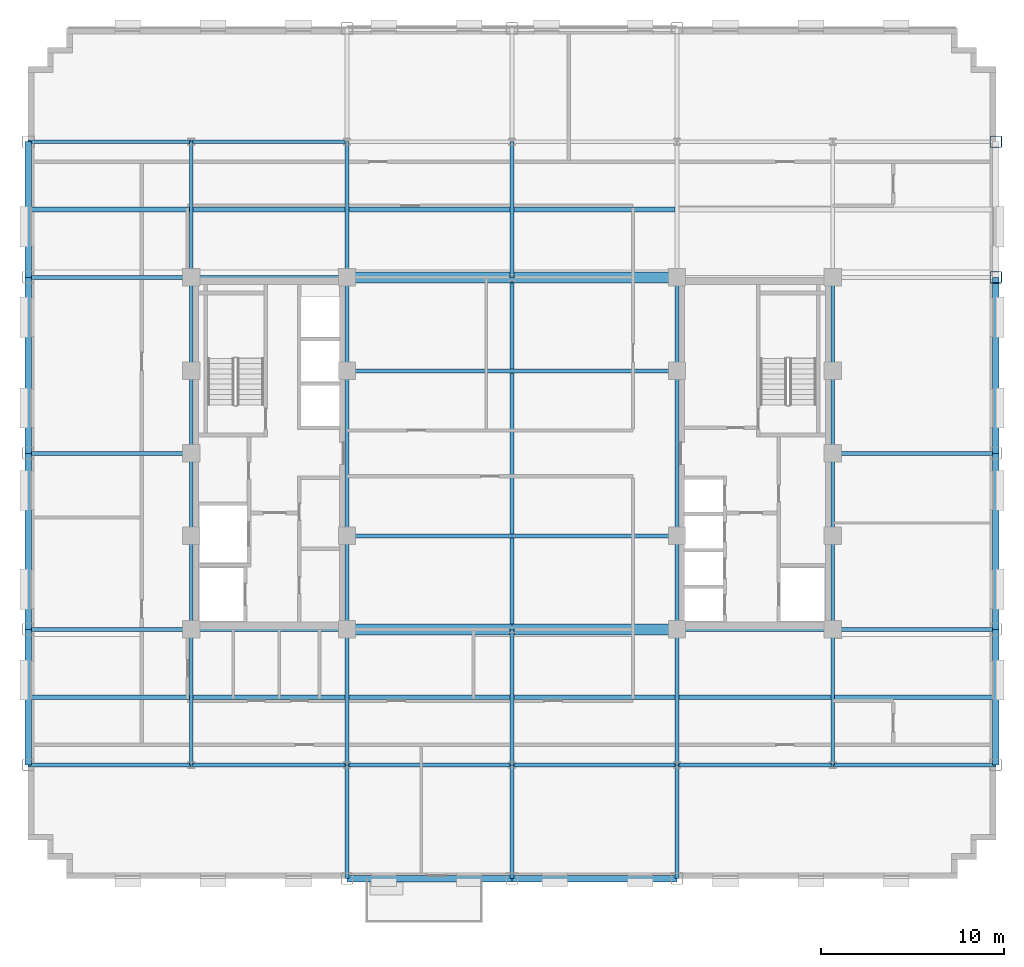
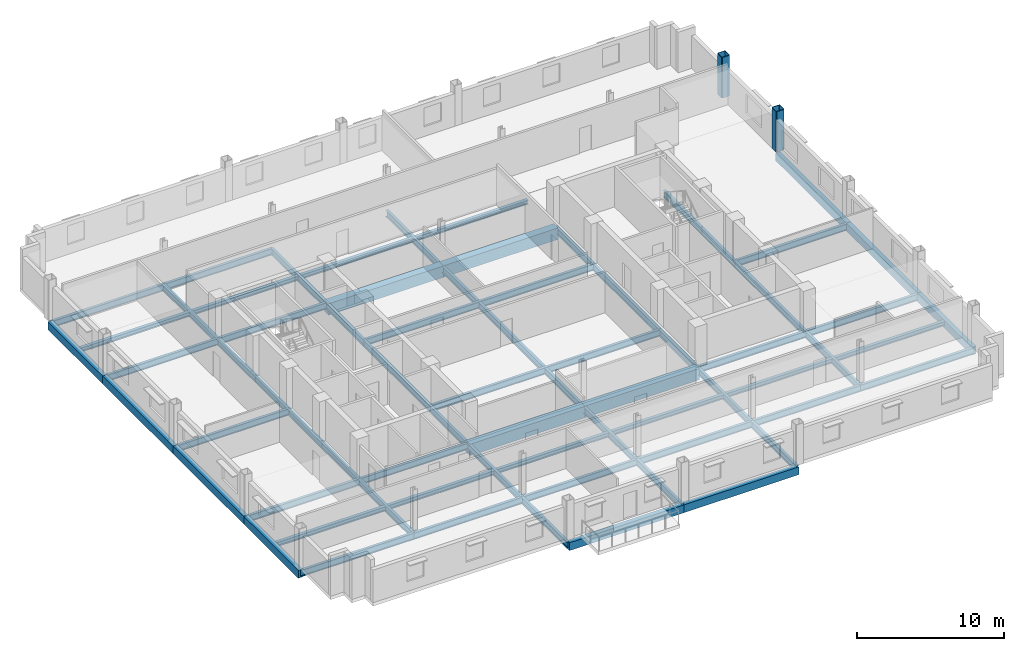
# One storey, part 4 of 14: 67 beams, 2 columns.
"""IFC4 building model written with IfcOpenShell, lengths in metres."""

from ifc_helpers import new_model, si_unit, direction, frame, origin, origin_2d, place, context, subcontext, project, spatial, rectangle, hollow_rectangle, i_section, extrude, material, material_profile, profile_set, type_object, element, save


model = new_model("IFC4")

# Units and contexts
model_context = context("Model", 3, precision=1e-05, world=origin(), true_north=direction((0.0, 1.0)))
body_context = subcontext(model_context, "Body", "Model", "MODEL_VIEW")
ifc_project = project(units=[si_unit("LENGTHUNIT", "METRE"), si_unit("AREAUNIT", "SQUARE_METRE"), si_unit("VOLUMEUNIT", "CUBIC_METRE"), si_unit("PLANEANGLEUNIT", "RADIAN"), si_unit("MASSUNIT", "GRAM", prefix="KILO")], contexts=[model_context])

# Site, building, storey
site_placement = place(None, origin())
site = spatial("IfcSite", under=ifc_project, at=site_placement, CompositionType="ELEMENT")
building_placement = place(site_placement, origin())
building = spatial("IfcBuilding", under=site, at=building_placement, Name="Nuvemarco Arch Tower", CompositionType="ELEMENT")
storey_placement = place(building_placement, frame((0.0, 0.0, 127.5)))
storey = spatial("IfcBuildingStorey", under=building, at=storey_placement, Name="L33", CompositionType="ELEMENT", Elevation=127.5)

# Columns
ifc_material_1 = material(Name="Steel S355", Category="steel")
ifc_material_profile_1 = material_profile(ifc_material_1, hollow_rectangle(XDim=0.64990234375, YDim=0.64990234375, WallThickness=0.0400390625, InnerFilletRadius=0.0400390625, OuterFilletRadius=0.080078125, at=origin_2d()), Name="SHS650x650x40")
ifc_profile_set_1 = profile_set([ifc_material_profile_1], Name="Steel S355")
column_type = type_object("IfcColumnType", Name="COL-EXO-650", PredefinedType="COLUMN", material=ifc_profile_set_1)
for number, where, z_axis, x_axis, name in (
    (1, (26.39990234375, 9.60009765625, 0.0), (0.0, 0.0, 1.0), (1.0, 0.0, 0.0), "L33 column CX_+26.4_+9.6"),
    (2, (26.39990234375, 17.0, 0.0), (0.0, 0.0, 1.0), (1.0, 0.0, 0.0), "L33 column CX_+26.4_+17.0"),
):
    element("IfcColumn", number, at=place(storey_placement, frame(where, z_axis=z_axis, x_axis=x_axis)), inside=storey, type_object=column_type, Name=name, PredefinedType="COLUMN", context=body_context, shape_type="SweptSolid", body=[
        extrude(hollow_rectangle(XDim=0.64990234375, YDim=0.64990234375, WallThickness=0.0400390625, InnerFilletRadius=0.0400390625, OuterFilletRadius=0.080078125, at=origin_2d()), origin(), (0.0, 0.0, 1.0), 3.3701171875),
    ])

# Beams
ifc_material_2 = material(Name="Concrete C60/75", Category="concrete")
ifc_material_profile_2 = material_profile(ifc_material_2, rectangle(XDim=0.60009765625, YDim=0.949951171875, at=origin_2d()), Name="RC-BM-600x950")
ifc_profile_set_2 = profile_set([ifc_material_profile_2], Name="Concrete C60/75")
beam_type_1 = type_object("IfcBeamType", Name="BM-COUP-RC", PredefinedType="LINTEL", material=ifc_profile_set_2)
for number, where, z_axis, x_axis, name in (
    (3, (-9.0, -9.60009765625, -0.7548828125), (1.0, 0.0, 0.0), (0.0, 1.0, 0.0), "L33 structural beam BGEW_L33_0_-9.6_-9.0"),
    (4, (0.0, -9.60009765625, -0.7548828125), (1.0, 0.0, 0.0), (0.0, 1.0, 0.0), "L33 structural beam BGEW_L33_0_-9.6_+0.0"),
    (5, (-9.0, 9.60009765625, -0.7548828125), (1.0, 0.0, 0.0), (0.0, 1.0, 0.0), "L33 structural beam BGEW_L33_0_+9.6_-9.0"),
    (6, (0.0, 9.60009765625, -0.7548828125), (1.0, 0.0, 0.0), (0.0, 1.0, 0.0), "L33 structural beam BGEW_L33_0_+9.6_+0.0"),
):
    element("IfcBeam", number, at=place(storey_placement, frame(where, z_axis=z_axis, x_axis=x_axis)), inside=storey, type_object=beam_type_1, Name=name, PredefinedType="LINTEL", context=body_context, shape_type="SweptSolid", body=[
        extrude(rectangle(XDim=0.60009765625, YDim=0.949951171875, at=origin_2d()), origin(), (0.0, 0.0, 1.0), 9.0),
    ])
ifc_material_profile_3 = material_profile(ifc_material_1, i_section(OverallWidth=0.2109375, OverallDepth=0.5390625, WebThickness=0.01171875, FlangeThickness=0.018798828125, FilletRadius=0.01611328125, at=origin_2d()), Name="W530x109")
ifc_profile_set_3 = profile_set([ifc_material_profile_3], Name="Steel S355")
beam_type_2 = type_object("IfcBeamType", Name="BM-GIRD-530", PredefinedType="BEAM", material=ifc_profile_set_3)
beam_1_placement = place(storey_placement, frame((-17.5, -17.0, -0.549560546875), z_axis=(0.0, 1.0, 0.0), x_axis=(-1.0, 0.0, 0.0)))
element("IfcBeam", 7, at=beam_1_placement, inside=storey, type_object=beam_type_2, Name="L33 structural beam BGNS_L33_0_-17.5_-17.0", PredefinedType="BEAM", context=body_context, shape_type="SweptSolid", body=[
    extrude(i_section(OverallWidth=0.2109375, OverallDepth=0.5390625, WebThickness=0.01171875, FlangeThickness=0.018798828125, FilletRadius=0.01611328125, at=origin_2d()), origin(), (0.0, 0.0, 1.0), 7.39990234375),
])
beam_2_placement = place(storey_placement, frame((-17.5, -9.60009765625, -0.549560546875), z_axis=(0.0, 1.0, 0.0), x_axis=(-1.0, 0.0, 0.0)))
element("IfcBeam", 8, at=beam_2_placement, inside=storey, type_object=beam_type_2, Name="L33 structural beam BGNS_L33_0_-17.5_-9.6", PredefinedType="BEAM", context=body_context, shape_type="SweptSolid", body=[
    extrude(i_section(OverallWidth=0.2109375, OverallDepth=0.5390625, WebThickness=0.01171875, FlangeThickness=0.018798828125, FilletRadius=0.01611328125, at=origin_2d()), origin(), (0.0, 0.0, 1.0), 5.10009765625),
])
for number, where, z_axis, x_axis, name in (
    (9, (-17.5, -4.5, -0.549560546875), (0.0, 1.0, 0.0), (-1.0, 0.0, 0.0), "L33 structural beam BGNS_L33_0_-17.5_-4.5"),
    (10, (-17.5, 0.0, -0.549560546875), (0.0, 1.0, 0.0), (-1.0, 0.0, 0.0), "L33 structural beam BGNS_L33_0_-17.5_+0.0"),
):
    element("IfcBeam", number, at=place(storey_placement, frame(where, z_axis=z_axis, x_axis=x_axis)), inside=storey, type_object=beam_type_2, Name=name, PredefinedType="BEAM", context=body_context, shape_type="SweptSolid", body=[
        extrude(i_section(OverallWidth=0.2109375, OverallDepth=0.5390625, WebThickness=0.01171875, FlangeThickness=0.018798828125, FilletRadius=0.01611328125, at=origin_2d()), origin(), (0.0, 0.0, 1.0), 4.5),
    ])
beam_3_placement = place(storey_placement, frame((-17.5, 4.5, -0.549560546875), z_axis=(0.0, 1.0, 0.0), x_axis=(-1.0, 0.0, 0.0)))
element("IfcBeam", 11, at=beam_3_placement, inside=storey, type_object=beam_type_2, Name="L33 structural beam BGNS_L33_0_-17.5_+4.5", PredefinedType="BEAM", context=body_context, shape_type="SweptSolid", body=[
    extrude(i_section(OverallWidth=0.2109375, OverallDepth=0.5390625, WebThickness=0.01171875, FlangeThickness=0.018798828125, FilletRadius=0.01611328125, at=origin_2d()), origin(), (0.0, 0.0, 1.0), 5.10009765625),
])
beam_4_placement = place(storey_placement, frame((-17.5, 9.60009765625, -0.549560546875), z_axis=(0.0, 1.0, 0.0), x_axis=(-1.0, 0.0, 0.0)))
element("IfcBeam", 12, at=beam_4_placement, inside=storey, type_object=beam_type_2, Name="L33 structural beam BGNS_L33_0_-17.5_+9.6", PredefinedType="BEAM", context=body_context, shape_type="SweptSolid", body=[
    extrude(i_section(OverallWidth=0.2109375, OverallDepth=0.5390625, WebThickness=0.01171875, FlangeThickness=0.018798828125, FilletRadius=0.01611328125, at=origin_2d()), origin(), (0.0, 0.0, 1.0), 7.39990234375),
])
beam_5_placement = place(storey_placement, frame((-9.0, -23.199951171875, -0.549560546875), z_axis=(0.0, 1.0, 0.0), x_axis=(-1.0, 0.0, 0.0)))
element("IfcBeam", 13, at=beam_5_placement, inside=storey, type_object=beam_type_2, Name="L33 structural beam BGNS_L33_0_-9.0_-23.2", PredefinedType="BEAM", context=body_context, shape_type="SweptSolid", body=[
    extrude(i_section(OverallWidth=0.2109375, OverallDepth=0.5390625, WebThickness=0.01171875, FlangeThickness=0.018798828125, FilletRadius=0.01611328125, at=origin_2d()), origin(), (0.0, 0.0, 1.0), 6.199951171875),
])
beam_6_placement = place(storey_placement, frame((-9.0, -17.0, -0.549560546875), z_axis=(0.0, 1.0, 0.0), x_axis=(-1.0, 0.0, 0.0)))
element("IfcBeam", 14, at=beam_6_placement, inside=storey, type_object=beam_type_2, Name="L33 structural beam BGNS_L33_0_-9.0_-17.0", PredefinedType="BEAM", context=body_context, shape_type="SweptSolid", body=[
    extrude(i_section(OverallWidth=0.2109375, OverallDepth=0.5390625, WebThickness=0.01171875, FlangeThickness=0.018798828125, FilletRadius=0.01611328125, at=origin_2d()), origin(), (0.0, 0.0, 1.0), 7.39990234375),
])
beam_7_placement = place(storey_placement, frame((-9.0, -9.60009765625, -0.549560546875), z_axis=(0.0, 1.0, 0.0), x_axis=(-1.0, 0.0, 0.0)))
element("IfcBeam", 15, at=beam_7_placement, inside=storey, type_object=beam_type_2, Name="L33 structural beam BGNS_L33_0_-9.0_-9.6", PredefinedType="BEAM", context=body_context, shape_type="SweptSolid", body=[
    extrude(i_section(OverallWidth=0.2109375, OverallDepth=0.5390625, WebThickness=0.01171875, FlangeThickness=0.018798828125, FilletRadius=0.01611328125, at=origin_2d()), origin(), (0.0, 0.0, 1.0), 5.10009765625),
])
beam_8_placement = place(storey_placement, frame((-9.0, -4.5, -0.549560546875), z_axis=(0.0, 1.0, 0.0), x_axis=(-1.0, 0.0, 0.0)))
element("IfcBeam", 16, at=beam_8_placement, inside=storey, type_object=beam_type_2, Name="L33 structural beam BGNS_L33_0_-9.0_-4.5", PredefinedType="BEAM", context=body_context, shape_type="SweptSolid", body=[
    extrude(i_section(OverallWidth=0.2109375, OverallDepth=0.5390625, WebThickness=0.01171875, FlangeThickness=0.018798828125, FilletRadius=0.01611328125, at=origin_2d()), origin(), (0.0, 0.0, 1.0), 9.0),
])
beam_9_placement = place(storey_placement, frame((-9.0, 4.5, -0.549560546875), z_axis=(0.0, 1.0, 0.0), x_axis=(-1.0, 0.0, 0.0)))
element("IfcBeam", 17, at=beam_9_placement, inside=storey, type_object=beam_type_2, Name="L33 structural beam BGNS_L33_0_-9.0_+4.5", PredefinedType="BEAM", context=body_context, shape_type="SweptSolid", body=[
    extrude(i_section(OverallWidth=0.2109375, OverallDepth=0.5390625, WebThickness=0.01171875, FlangeThickness=0.018798828125, FilletRadius=0.01611328125, at=origin_2d()), origin(), (0.0, 0.0, 1.0), 5.10009765625),
])
beam_10_placement = place(storey_placement, frame((-9.0, 9.60009765625, -0.549560546875), z_axis=(0.0, 1.0, 0.0), x_axis=(-1.0, 0.0, 0.0)))
element("IfcBeam", 18, at=beam_10_placement, inside=storey, type_object=beam_type_2, Name="L33 structural beam BGNS_L33_0_-9.0_+9.6", PredefinedType="BEAM", context=body_context, shape_type="SweptSolid", body=[
    extrude(i_section(OverallWidth=0.2109375, OverallDepth=0.5390625, WebThickness=0.01171875, FlangeThickness=0.018798828125, FilletRadius=0.01611328125, at=origin_2d()), origin(), (0.0, 0.0, 1.0), 7.39990234375),
])
beam_11_placement = place(storey_placement, frame((0.0, -23.199951171875, -0.549560546875), z_axis=(0.0, 1.0, 0.0), x_axis=(-1.0, 0.0, 0.0)))
element("IfcBeam", 19, at=beam_11_placement, inside=storey, type_object=beam_type_2, Name="L33 structural beam BGNS_L33_0_+0.0_-23.2", PredefinedType="BEAM", context=body_context, shape_type="SweptSolid", body=[
    extrude(i_section(OverallWidth=0.2109375, OverallDepth=0.5390625, WebThickness=0.01171875, FlangeThickness=0.018798828125, FilletRadius=0.01611328125, at=origin_2d()), origin(), (0.0, 0.0, 1.0), 6.199951171875),
])
beam_12_placement = place(storey_placement, frame((0.0, -17.0, -0.549560546875), z_axis=(0.0, 1.0, 0.0), x_axis=(-1.0, 0.0, 0.0)))
element("IfcBeam", 20, at=beam_12_placement, inside=storey, type_object=beam_type_2, Name="L33 structural beam BGNS_L33_0_+0.0_-17.0", PredefinedType="BEAM", context=body_context, shape_type="SweptSolid", body=[
    extrude(i_section(OverallWidth=0.2109375, OverallDepth=0.5390625, WebThickness=0.01171875, FlangeThickness=0.018798828125, FilletRadius=0.01611328125, at=origin_2d()), origin(), (0.0, 0.0, 1.0), 7.39990234375),
])
beam_13_placement = place(storey_placement, frame((0.0, -9.60009765625, -0.549560546875), z_axis=(0.0, 1.0, 0.0), x_axis=(-1.0, 0.0, 0.0)))
element("IfcBeam", 21, at=beam_13_placement, inside=storey, type_object=beam_type_2, Name="L33 structural beam BGNS_L33_0_+0.0_-9.6", PredefinedType="BEAM", context=body_context, shape_type="SweptSolid", body=[
    extrude(i_section(OverallWidth=0.2109375, OverallDepth=0.5390625, WebThickness=0.01171875, FlangeThickness=0.018798828125, FilletRadius=0.01611328125, at=origin_2d()), origin(), (0.0, 0.0, 1.0), 19.2001953125),
])
beam_14_placement = place(storey_placement, frame((0.0, 9.60009765625, -0.549560546875), z_axis=(0.0, 1.0, 0.0), x_axis=(-1.0, 0.0, 0.0)))
element("IfcBeam", 22, at=beam_14_placement, inside=storey, type_object=beam_type_2, Name="L33 structural beam BGNS_L33_0_+0.0_+9.6", PredefinedType="BEAM", context=body_context, shape_type="SweptSolid", body=[
    extrude(i_section(OverallWidth=0.2109375, OverallDepth=0.5390625, WebThickness=0.01171875, FlangeThickness=0.018798828125, FilletRadius=0.01611328125, at=origin_2d()), origin(), (0.0, 0.0, 1.0), 7.39990234375),
])
beam_15_placement = place(storey_placement, frame((9.0, -23.199951171875, -0.549560546875), z_axis=(0.0, 1.0, 0.0), x_axis=(-1.0, 0.0, 0.0)))
element("IfcBeam", 23, at=beam_15_placement, inside=storey, type_object=beam_type_2, Name="L33 structural beam BGNS_L33_0_+9.0_-23.2", PredefinedType="BEAM", context=body_context, shape_type="SweptSolid", body=[
    extrude(i_section(OverallWidth=0.2109375, OverallDepth=0.5390625, WebThickness=0.01171875, FlangeThickness=0.018798828125, FilletRadius=0.01611328125, at=origin_2d()), origin(), (0.0, 0.0, 1.0), 6.199951171875),
])
beam_16_placement = place(storey_placement, frame((9.0, -17.0, -0.549560546875), z_axis=(0.0, 1.0, 0.0), x_axis=(-1.0, 0.0, 0.0)))
element("IfcBeam", 24, at=beam_16_placement, inside=storey, type_object=beam_type_2, Name="L33 structural beam BGNS_L33_0_+9.0_-17.0", PredefinedType="BEAM", context=body_context, shape_type="SweptSolid", body=[
    extrude(i_section(OverallWidth=0.2109375, OverallDepth=0.5390625, WebThickness=0.01171875, FlangeThickness=0.018798828125, FilletRadius=0.01611328125, at=origin_2d()), origin(), (0.0, 0.0, 1.0), 7.39990234375),
])
beam_17_placement = place(storey_placement, frame((9.0, -9.60009765625, -0.549560546875), z_axis=(0.0, 1.0, 0.0), x_axis=(-1.0, 0.0, 0.0)))
element("IfcBeam", 25, at=beam_17_placement, inside=storey, type_object=beam_type_2, Name="L33 structural beam BGNS_L33_0_+9.0_-9.6", PredefinedType="BEAM", context=body_context, shape_type="SweptSolid", body=[
    extrude(i_section(OverallWidth=0.2109375, OverallDepth=0.5390625, WebThickness=0.01171875, FlangeThickness=0.018798828125, FilletRadius=0.01611328125, at=origin_2d()), origin(), (0.0, 0.0, 1.0), 5.10009765625),
])
beam_18_placement = place(storey_placement, frame((9.0, -4.5, -0.549560546875), z_axis=(0.0, 1.0, 0.0), x_axis=(-1.0, 0.0, 0.0)))
element("IfcBeam", 26, at=beam_18_placement, inside=storey, type_object=beam_type_2, Name="L33 structural beam BGNS_L33_0_+9.0_-4.5", PredefinedType="BEAM", context=body_context, shape_type="SweptSolid", body=[
    extrude(i_section(OverallWidth=0.2109375, OverallDepth=0.5390625, WebThickness=0.01171875, FlangeThickness=0.018798828125, FilletRadius=0.01611328125, at=origin_2d()), origin(), (0.0, 0.0, 1.0), 9.0),
])
beam_19_placement = place(storey_placement, frame((9.0, 4.5, -0.549560546875), z_axis=(0.0, 1.0, 0.0), x_axis=(-1.0, 0.0, 0.0)))
element("IfcBeam", 27, at=beam_19_placement, inside=storey, type_object=beam_type_2, Name="L33 structural beam BGNS_L33_0_+9.0_+4.5", PredefinedType="BEAM", context=body_context, shape_type="SweptSolid", body=[
    extrude(i_section(OverallWidth=0.2109375, OverallDepth=0.5390625, WebThickness=0.01171875, FlangeThickness=0.018798828125, FilletRadius=0.01611328125, at=origin_2d()), origin(), (0.0, 0.0, 1.0), 5.10009765625),
])
beam_20_placement = place(storey_placement, frame((17.5, -17.0, -0.549560546875), z_axis=(0.0, 1.0, 0.0), x_axis=(-1.0, 0.0, 0.0)))
element("IfcBeam", 28, at=beam_20_placement, inside=storey, type_object=beam_type_2, Name="L33 structural beam BGNS_L33_0_+17.5_-17.0", PredefinedType="BEAM", context=body_context, shape_type="SweptSolid", body=[
    extrude(i_section(OverallWidth=0.2109375, OverallDepth=0.5390625, WebThickness=0.01171875, FlangeThickness=0.018798828125, FilletRadius=0.01611328125, at=origin_2d()), origin(), (0.0, 0.0, 1.0), 7.39990234375),
])
beam_21_placement = place(storey_placement, frame((17.5, -9.60009765625, -0.549560546875), z_axis=(0.0, 1.0, 0.0), x_axis=(-1.0, 0.0, 0.0)))
element("IfcBeam", 29, at=beam_21_placement, inside=storey, type_object=beam_type_2, Name="L33 structural beam BGNS_L33_0_+17.5_-9.6", PredefinedType="BEAM", context=body_context, shape_type="SweptSolid", body=[
    extrude(i_section(OverallWidth=0.2109375, OverallDepth=0.5390625, WebThickness=0.01171875, FlangeThickness=0.018798828125, FilletRadius=0.01611328125, at=origin_2d()), origin(), (0.0, 0.0, 1.0), 5.10009765625),
])
for number, where, z_axis, x_axis, name in (
    (30, (17.5, -4.5, -0.549560546875), (0.0, 1.0, 0.0), (-1.0, 0.0, 0.0), "L33 structural beam BGNS_L33_0_+17.5_-4.5"),
    (31, (17.5, 0.0, -0.549560546875), (0.0, 1.0, 0.0), (-1.0, 0.0, 0.0), "L33 structural beam BGNS_L33_0_+17.5_+0.0"),
):
    element("IfcBeam", number, at=place(storey_placement, frame(where, z_axis=z_axis, x_axis=x_axis)), inside=storey, type_object=beam_type_2, Name=name, PredefinedType="BEAM", context=body_context, shape_type="SweptSolid", body=[
        extrude(i_section(OverallWidth=0.2109375, OverallDepth=0.5390625, WebThickness=0.01171875, FlangeThickness=0.018798828125, FilletRadius=0.01611328125, at=origin_2d()), origin(), (0.0, 0.0, 1.0), 4.5),
    ])
beam_22_placement = place(storey_placement, frame((17.5, 4.5, -0.549560546875), z_axis=(0.0, 1.0, 0.0), x_axis=(-1.0, 0.0, 0.0)))
element("IfcBeam", 32, at=beam_22_placement, inside=storey, type_object=beam_type_2, Name="L33 structural beam BGNS_L33_0_+17.5_+4.5", PredefinedType="BEAM", context=body_context, shape_type="SweptSolid", body=[
    extrude(i_section(OverallWidth=0.2109375, OverallDepth=0.5390625, WebThickness=0.01171875, FlangeThickness=0.018798828125, FilletRadius=0.01611328125, at=origin_2d()), origin(), (0.0, 0.0, 1.0), 5.10009765625),
])
beam_23_placement = place(storey_placement, frame((-26.39990234375, -17.0, -0.549560546875), z_axis=(1.0, 0.0, 0.0), x_axis=(0.0, 1.0, 0.0)))
element("IfcBeam", 33, at=beam_23_placement, inside=storey, type_object=beam_type_2, Name="L33 structural beam BGEW_L33_0_-17.0_-26.4", PredefinedType="BEAM", context=body_context, shape_type="SweptSolid", body=[
    extrude(i_section(OverallWidth=0.2109375, OverallDepth=0.5390625, WebThickness=0.01171875, FlangeThickness=0.018798828125, FilletRadius=0.01611328125, at=origin_2d()), origin(), (0.0, 0.0, 1.0), 8.89990234375),
])
beam_24_placement = place(storey_placement, frame((-17.5, -17.0, -0.549560546875), z_axis=(1.0, 0.0, 0.0), x_axis=(0.0, 1.0, 0.0)))
element("IfcBeam", 34, at=beam_24_placement, inside=storey, type_object=beam_type_2, Name="L33 structural beam BGEW_L33_0_-17.0_-17.5", PredefinedType="BEAM", context=body_context, shape_type="SweptSolid", body=[
    extrude(i_section(OverallWidth=0.2109375, OverallDepth=0.5390625, WebThickness=0.01171875, FlangeThickness=0.018798828125, FilletRadius=0.01611328125, at=origin_2d()), origin(), (0.0, 0.0, 1.0), 8.5),
])
for number, where, z_axis, x_axis, name in (
    (35, (-9.0, -17.0, -0.549560546875), (1.0, 0.0, 0.0), (0.0, 1.0, 0.0), "L33 structural beam BGEW_L33_0_-17.0_-9.0"),
    (36, (0.0, -17.0, -0.549560546875), (1.0, 0.0, 0.0), (0.0, 1.0, 0.0), "L33 structural beam BGEW_L33_0_-17.0_+0.0"),
):
    element("IfcBeam", number, at=place(storey_placement, frame(where, z_axis=z_axis, x_axis=x_axis)), inside=storey, type_object=beam_type_2, Name=name, PredefinedType="BEAM", context=body_context, shape_type="SweptSolid", body=[
        extrude(i_section(OverallWidth=0.2109375, OverallDepth=0.5390625, WebThickness=0.01171875, FlangeThickness=0.018798828125, FilletRadius=0.01611328125, at=origin_2d()), origin(), (0.0, 0.0, 1.0), 9.0),
    ])
beam_25_placement = place(storey_placement, frame((9.0, -17.0, -0.549560546875), z_axis=(1.0, 0.0, 0.0), x_axis=(0.0, 1.0, 0.0)))
element("IfcBeam", 37, at=beam_25_placement, inside=storey, type_object=beam_type_2, Name="L33 structural beam BGEW_L33_0_-17.0_+9.0", PredefinedType="BEAM", context=body_context, shape_type="SweptSolid", body=[
    extrude(i_section(OverallWidth=0.2109375, OverallDepth=0.5390625, WebThickness=0.01171875, FlangeThickness=0.018798828125, FilletRadius=0.01611328125, at=origin_2d()), origin(), (0.0, 0.0, 1.0), 8.5),
])
for number, where, z_axis, x_axis, name in (
    (38, (17.5, -17.0, -0.549560546875), (1.0, 0.0, 0.0), (0.0, 1.0, 0.0), "L33 structural beam BGEW_L33_0_-17.0_+17.5"),
    (39, (-26.39990234375, -9.60009765625, -0.549560546875), (1.0, 0.0, 0.0), (0.0, 1.0, 0.0), "L33 structural beam BGEW_L33_0_-9.6_-26.4"),
):
    element("IfcBeam", number, at=place(storey_placement, frame(where, z_axis=z_axis, x_axis=x_axis)), inside=storey, type_object=beam_type_2, Name=name, PredefinedType="BEAM", context=body_context, shape_type="SweptSolid", body=[
        extrude(i_section(OverallWidth=0.2109375, OverallDepth=0.5390625, WebThickness=0.01171875, FlangeThickness=0.018798828125, FilletRadius=0.01611328125, at=origin_2d()), origin(), (0.0, 0.0, 1.0), 8.89990234375),
    ])
for number, where, z_axis, x_axis, name in (
    (40, (-17.5, -9.60009765625, -0.549560546875), (1.0, 0.0, 0.0), (0.0, 1.0, 0.0), "L33 structural beam BGEW_L33_0_-9.6_-17.5"),
    (41, (9.0, -9.60009765625, -0.549560546875), (1.0, 0.0, 0.0), (0.0, 1.0, 0.0), "L33 structural beam BGEW_L33_0_-9.6_+9.0"),
):
    element("IfcBeam", number, at=place(storey_placement, frame(where, z_axis=z_axis, x_axis=x_axis)), inside=storey, type_object=beam_type_2, Name=name, PredefinedType="BEAM", context=body_context, shape_type="SweptSolid", body=[
        extrude(i_section(OverallWidth=0.2109375, OverallDepth=0.5390625, WebThickness=0.01171875, FlangeThickness=0.018798828125, FilletRadius=0.01611328125, at=origin_2d()), origin(), (0.0, 0.0, 1.0), 8.5),
    ])
beam_26_placement = place(storey_placement, frame((17.5, -9.60009765625, -0.549560546875), z_axis=(1.0, 0.0, 0.0), x_axis=(0.0, 1.0, 0.0)))
element("IfcBeam", 42, at=beam_26_placement, inside=storey, type_object=beam_type_2, Name="L33 structural beam BGEW_L33_0_-9.6_+17.5", PredefinedType="BEAM", context=body_context, shape_type="SweptSolid", body=[
    extrude(i_section(OverallWidth=0.2109375, OverallDepth=0.5390625, WebThickness=0.01171875, FlangeThickness=0.018798828125, FilletRadius=0.01611328125, at=origin_2d()), origin(), (0.0, 0.0, 1.0), 8.89990234375),
])
beam_27_placement = place(storey_placement, frame((-9.0, -4.5, -0.549560546875), z_axis=(1.0, 0.0, 0.0), x_axis=(0.0, 1.0, 0.0)))
element("IfcBeam", 43, at=beam_27_placement, inside=storey, type_object=beam_type_2, Name="L33 structural beam BGEW_L33_0_-4.5_-9.0", PredefinedType="BEAM", context=body_context, shape_type="SweptSolid", body=[
    extrude(i_section(OverallWidth=0.2109375, OverallDepth=0.5390625, WebThickness=0.01171875, FlangeThickness=0.018798828125, FilletRadius=0.01611328125, at=origin_2d()), origin(), (0.0, 0.0, 1.0), 18.0),
])
for number, where, z_axis, x_axis, name in (
    (44, (-26.39990234375, 0.0, -0.549560546875), (1.0, 0.0, 0.0), (0.0, 1.0, 0.0), "L33 structural beam BGEW_L33_0_+0.0_-26.4"),
    (45, (17.5, 0.0, -0.549560546875), (1.0, 0.0, 0.0), (0.0, 1.0, 0.0), "L33 structural beam BGEW_L33_0_+0.0_+17.5"),
):
    element("IfcBeam", number, at=place(storey_placement, frame(where, z_axis=z_axis, x_axis=x_axis)), inside=storey, type_object=beam_type_2, Name=name, PredefinedType="BEAM", context=body_context, shape_type="SweptSolid", body=[
        extrude(i_section(OverallWidth=0.2109375, OverallDepth=0.5390625, WebThickness=0.01171875, FlangeThickness=0.018798828125, FilletRadius=0.01611328125, at=origin_2d()), origin(), (0.0, 0.0, 1.0), 8.89990234375),
    ])
beam_28_placement = place(storey_placement, frame((-9.0, 4.5, -0.549560546875), z_axis=(1.0, 0.0, 0.0), x_axis=(0.0, 1.0, 0.0)))
element("IfcBeam", 46, at=beam_28_placement, inside=storey, type_object=beam_type_2, Name="L33 structural beam BGEW_L33_0_+4.5_-9.0", PredefinedType="BEAM", context=body_context, shape_type="SweptSolid", body=[
    extrude(i_section(OverallWidth=0.2109375, OverallDepth=0.5390625, WebThickness=0.01171875, FlangeThickness=0.018798828125, FilletRadius=0.01611328125, at=origin_2d()), origin(), (0.0, 0.0, 1.0), 18.0),
])
beam_29_placement = place(storey_placement, frame((-26.39990234375, 9.60009765625, -0.549560546875), z_axis=(1.0, 0.0, 0.0), x_axis=(0.0, 1.0, 0.0)))
element("IfcBeam", 47, at=beam_29_placement, inside=storey, type_object=beam_type_2, Name="L33 structural beam BGEW_L33_0_+9.6_-26.4", PredefinedType="BEAM", context=body_context, shape_type="SweptSolid", body=[
    extrude(i_section(OverallWidth=0.2109375, OverallDepth=0.5390625, WebThickness=0.01171875, FlangeThickness=0.018798828125, FilletRadius=0.01611328125, at=origin_2d()), origin(), (0.0, 0.0, 1.0), 8.89990234375),
])
beam_30_placement = place(storey_placement, frame((-17.5, 9.60009765625, -0.549560546875), z_axis=(1.0, 0.0, 0.0), x_axis=(0.0, 1.0, 0.0)))
element("IfcBeam", 48, at=beam_30_placement, inside=storey, type_object=beam_type_2, Name="L33 structural beam BGEW_L33_0_+9.6_-17.5", PredefinedType="BEAM", context=body_context, shape_type="SweptSolid", body=[
    extrude(i_section(OverallWidth=0.2109375, OverallDepth=0.5390625, WebThickness=0.01171875, FlangeThickness=0.018798828125, FilletRadius=0.01611328125, at=origin_2d()), origin(), (0.0, 0.0, 1.0), 8.5),
])
beam_31_placement = place(storey_placement, frame((-26.39990234375, 17.0, -0.549560546875), z_axis=(1.0, 0.0, 0.0), x_axis=(0.0, 1.0, 0.0)))
element("IfcBeam", 49, at=beam_31_placement, inside=storey, type_object=beam_type_2, Name="L33 structural beam BGEW_L33_0_+17.0_-26.4", PredefinedType="BEAM", context=body_context, shape_type="SweptSolid", body=[
    extrude(i_section(OverallWidth=0.2109375, OverallDepth=0.5390625, WebThickness=0.01171875, FlangeThickness=0.018798828125, FilletRadius=0.01611328125, at=origin_2d()), origin(), (0.0, 0.0, 1.0), 8.89990234375),
])
beam_32_placement = place(storey_placement, frame((-17.5, 17.0, -0.549560546875), z_axis=(1.0, 0.0, 0.0), x_axis=(0.0, 1.0, 0.0)))
element("IfcBeam", 50, at=beam_32_placement, inside=storey, type_object=beam_type_2, Name="L33 structural beam BGEW_L33_0_+17.0_-17.5", PredefinedType="BEAM", context=body_context, shape_type="SweptSolid", body=[
    extrude(i_section(OverallWidth=0.2109375, OverallDepth=0.5390625, WebThickness=0.01171875, FlangeThickness=0.018798828125, FilletRadius=0.01611328125, at=origin_2d()), origin(), (0.0, 0.0, 1.0), 8.5),
])
ifc_material_profile_4 = material_profile(ifc_material_1, i_section(OverallWidth=0.2548828125, OverallDepth=0.35693359375, WebThickness=0.010498046875, FlangeThickness=0.018310546875, FilletRadius=0.014892578125, at=origin_2d()), Name="W360x101")
ifc_profile_set_4 = profile_set([ifc_material_profile_4], Name="Steel S355")
beam_type_3 = type_object("IfcBeamType", Name="BM-JOIST-360H", PredefinedType="JOIST", material=ifc_profile_set_4)
beam_33_placement = place(storey_placement, frame((-26.22509765625, -13.300048828125, -0.45849609375), z_axis=(1.0, 0.0, 0.0), x_axis=(0.0, 1.0, 0.0)))
element("IfcBeam", 51, at=beam_33_placement, inside=storey, type_object=beam_type_3, Name="L33 structural beam BJ_L33_0_-13.3_-26.4", PredefinedType="JOIST", context=body_context, shape_type="SweptSolid", body=[
    extrude(i_section(OverallWidth=0.2548828125, OverallDepth=0.35693359375, WebThickness=0.010498046875, FlangeThickness=0.018310546875, FilletRadius=0.014892578125, at=origin_2d()), origin(), (0.0, 0.0, 1.0), 8.61962890625),
])
beam_34_placement = place(storey_placement, frame((-17.39453125, -13.300048828125, -0.45849609375), z_axis=(1.0, 0.0, 0.0), x_axis=(0.0, 1.0, 0.0)))
element("IfcBeam", 52, at=beam_34_placement, inside=storey, type_object=beam_type_3, Name="L33 structural beam BJ_L33_0_-13.3_-17.5", PredefinedType="JOIST", context=body_context, shape_type="SweptSolid", body=[
    extrude(i_section(OverallWidth=0.2548828125, OverallDepth=0.35693359375, WebThickness=0.010498046875, FlangeThickness=0.018310546875, FilletRadius=0.014892578125, at=origin_2d()), origin(), (0.0, 0.0, 1.0), 8.2890625),
])
for number, where, z_axis, x_axis, name in (
    (53, (-8.89453125, -13.300048828125, -0.45849609375), (1.0, 0.0, 0.0), (0.0, 1.0, 0.0), "L33 structural beam BJ_L33_0_-13.3_-9.0"),
    (54, (0.10546875, -13.300048828125, -0.45849609375), (1.0, 0.0, 0.0), (0.0, 1.0, 0.0), "L33 structural beam BJ_L33_0_-13.3_+0.0"),
):
    element("IfcBeam", number, at=place(storey_placement, frame(where, z_axis=z_axis, x_axis=x_axis)), inside=storey, type_object=beam_type_3, Name=name, PredefinedType="JOIST", context=body_context, shape_type="SweptSolid", body=[
        extrude(i_section(OverallWidth=0.2548828125, OverallDepth=0.35693359375, WebThickness=0.010498046875, FlangeThickness=0.018310546875, FilletRadius=0.014892578125, at=origin_2d()), origin(), (0.0, 0.0, 1.0), 8.7890625),
    ])
beam_35_placement = place(storey_placement, frame((9.10546875, -13.300048828125, -0.45849609375), z_axis=(1.0, 0.0, 0.0), x_axis=(0.0, 1.0, 0.0)))
element("IfcBeam", 55, at=beam_35_placement, inside=storey, type_object=beam_type_3, Name="L33 structural beam BJ_L33_0_-13.3_+9.0", PredefinedType="JOIST", context=body_context, shape_type="SweptSolid", body=[
    extrude(i_section(OverallWidth=0.2548828125, OverallDepth=0.35693359375, WebThickness=0.010498046875, FlangeThickness=0.018310546875, FilletRadius=0.014892578125, at=origin_2d()), origin(), (0.0, 0.0, 1.0), 8.2890625),
])
for number, where, z_axis, x_axis, name in (
    (56, (17.60546875, -13.300048828125, -0.45849609375), (1.0, 0.0, 0.0), (0.0, 1.0, 0.0), "L33 structural beam BJ_L33_0_-13.3_+17.5"),
    (57, (-26.22509765625, 13.300048828125, -0.45849609375), (1.0, 0.0, 0.0), (0.0, 1.0, 0.0), "L33 structural beam BJ_L33_0_+13.3_-26.4"),
):
    element("IfcBeam", number, at=place(storey_placement, frame(where, z_axis=z_axis, x_axis=x_axis)), inside=storey, type_object=beam_type_3, Name=name, PredefinedType="JOIST", context=body_context, shape_type="SweptSolid", body=[
        extrude(i_section(OverallWidth=0.2548828125, OverallDepth=0.35693359375, WebThickness=0.010498046875, FlangeThickness=0.018310546875, FilletRadius=0.014892578125, at=origin_2d()), origin(), (0.0, 0.0, 1.0), 8.61962890625),
    ])
beam_36_placement = place(storey_placement, frame((-17.39453125, 13.300048828125, -0.45849609375), z_axis=(1.0, 0.0, 0.0), x_axis=(0.0, 1.0, 0.0)))
element("IfcBeam", 58, at=beam_36_placement, inside=storey, type_object=beam_type_3, Name="L33 structural beam BJ_L33_0_+13.3_-17.5", PredefinedType="JOIST", context=body_context, shape_type="SweptSolid", body=[
    extrude(i_section(OverallWidth=0.2548828125, OverallDepth=0.35693359375, WebThickness=0.010498046875, FlangeThickness=0.018310546875, FilletRadius=0.014892578125, at=origin_2d()), origin(), (0.0, 0.0, 1.0), 8.2890625),
])
for number, where, z_axis, x_axis, name in (
    (59, (-8.89453125, 13.300048828125, -0.45849609375), (1.0, 0.0, 0.0), (0.0, 1.0, 0.0), "L33 structural beam BJ_L33_0_+13.3_-9.0"),
    (60, (0.10546875, 13.300048828125, -0.45849609375), (1.0, 0.0, 0.0), (0.0, 1.0, 0.0), "L33 structural beam BJ_L33_0_+13.3_+0.0"),
):
    element("IfcBeam", number, at=place(storey_placement, frame(where, z_axis=z_axis, x_axis=x_axis)), inside=storey, type_object=beam_type_3, Name=name, PredefinedType="JOIST", context=body_context, shape_type="SweptSolid", body=[
        extrude(i_section(OverallWidth=0.2548828125, OverallDepth=0.35693359375, WebThickness=0.010498046875, FlangeThickness=0.018310546875, FilletRadius=0.014892578125, at=origin_2d()), origin(), (0.0, 0.0, 1.0), 8.7890625),
    ])
ifc_material_3 = material(Name="Precast concrete C45/55", Category="concrete")
ifc_material_profile_5 = material_profile(ifc_material_3, rectangle(XDim=0.35009765625, YDim=0.64990234375, at=origin_2d()), Name="PC-SP-350x650")
ifc_profile_set_5 = profile_set([ifc_material_profile_5], Name="Precast concrete C45/55")
beam_type_4 = type_object("IfcBeamType", Name="BM-SPAN-RC", PredefinedType="SPANDREL", material=ifc_profile_set_5)
beam_37_placement = place(storey_placement, frame((-26.39990234375, -17.0, -0.60498046875), z_axis=(0.0, 1.0, 0.0), x_axis=(-1.0, 0.0, 0.0)))
element("IfcBeam", 61, at=beam_37_placement, inside=storey, type_object=beam_type_4, Name="L33 structural beam BGNS_L33_0_-26.4_-17.0", PredefinedType="SPANDREL", context=body_context, shape_type="SweptSolid", body=[
    extrude(rectangle(XDim=0.35009765625, YDim=0.64990234375, at=origin_2d()), origin(), (0.0, 0.0, 1.0), 7.39990234375),
])
for number, where, z_axis, x_axis, name in (
    (62, (-26.39990234375, -9.60009765625, -0.60498046875), (0.0, 1.0, 0.0), (-1.0, 0.0, 0.0), "L33 structural beam BGNS_L33_0_-26.4_-9.6"),
    (63, (-26.39990234375, 0.0, -0.60498046875), (0.0, 1.0, 0.0), (-1.0, 0.0, 0.0), "L33 structural beam BGNS_L33_0_-26.4_+0.0"),
):
    element("IfcBeam", number, at=place(storey_placement, frame(where, z_axis=z_axis, x_axis=x_axis)), inside=storey, type_object=beam_type_4, Name=name, PredefinedType="SPANDREL", context=body_context, shape_type="SweptSolid", body=[
        extrude(rectangle(XDim=0.35009765625, YDim=0.64990234375, at=origin_2d()), origin(), (0.0, 0.0, 1.0), 9.60009765625),
    ])
for number, where, z_axis, x_axis, name in (
    (64, (-26.39990234375, 9.60009765625, -0.60498046875), (0.0, 1.0, 0.0), (-1.0, 0.0, 0.0), "L33 structural beam BGNS_L33_0_-26.4_+9.6"),
    (65, (26.39990234375, -17.0, -0.60498046875), (0.0, 1.0, 0.0), (-1.0, 0.0, 0.0), "L33 structural beam BGNS_L33_0_+26.4_-17.0"),
):
    element("IfcBeam", number, at=place(storey_placement, frame(where, z_axis=z_axis, x_axis=x_axis)), inside=storey, type_object=beam_type_4, Name=name, PredefinedType="SPANDREL", context=body_context, shape_type="SweptSolid", body=[
        extrude(rectangle(XDim=0.35009765625, YDim=0.64990234375, at=origin_2d()), origin(), (0.0, 0.0, 1.0), 7.39990234375),
    ])
for number, where, z_axis, x_axis, name in (
    (66, (26.39990234375, -9.60009765625, -0.60498046875), (0.0, 1.0, 0.0), (-1.0, 0.0, 0.0), "L33 structural beam BGNS_L33_0_+26.4_-9.6"),
    (67, (26.39990234375, 0.0, -0.60498046875), (0.0, 1.0, 0.0), (-1.0, 0.0, 0.0), "L33 structural beam BGNS_L33_0_+26.4_+0.0"),
):
    element("IfcBeam", number, at=place(storey_placement, frame(where, z_axis=z_axis, x_axis=x_axis)), inside=storey, type_object=beam_type_4, Name=name, PredefinedType="SPANDREL", context=body_context, shape_type="SweptSolid", body=[
        extrude(rectangle(XDim=0.35009765625, YDim=0.64990234375, at=origin_2d()), origin(), (0.0, 0.0, 1.0), 9.60009765625),
    ])
for number, where, z_axis, x_axis, name in (
    (68, (-9.0, -23.199951171875, -0.60498046875), (1.0, 0.0, 0.0), (0.0, 1.0, 0.0), "L33 structural beam BGEW_L33_0_-23.2_-9.0"),
    (69, (0.0, -23.199951171875, -0.60498046875), (1.0, 0.0, 0.0), (0.0, 1.0, 0.0), "L33 structural beam BGEW_L33_0_-23.2_+0.0"),
):
    element("IfcBeam", number, at=place(storey_placement, frame(where, z_axis=z_axis, x_axis=x_axis)), inside=storey, type_object=beam_type_4, Name=name, PredefinedType="SPANDREL", context=body_context, shape_type="SweptSolid", body=[
        extrude(rectangle(XDim=0.35009765625, YDim=0.64990234375, at=origin_2d()), origin(), (0.0, 0.0, 1.0), 9.0),
    ])

save(model, "model.ifc")
